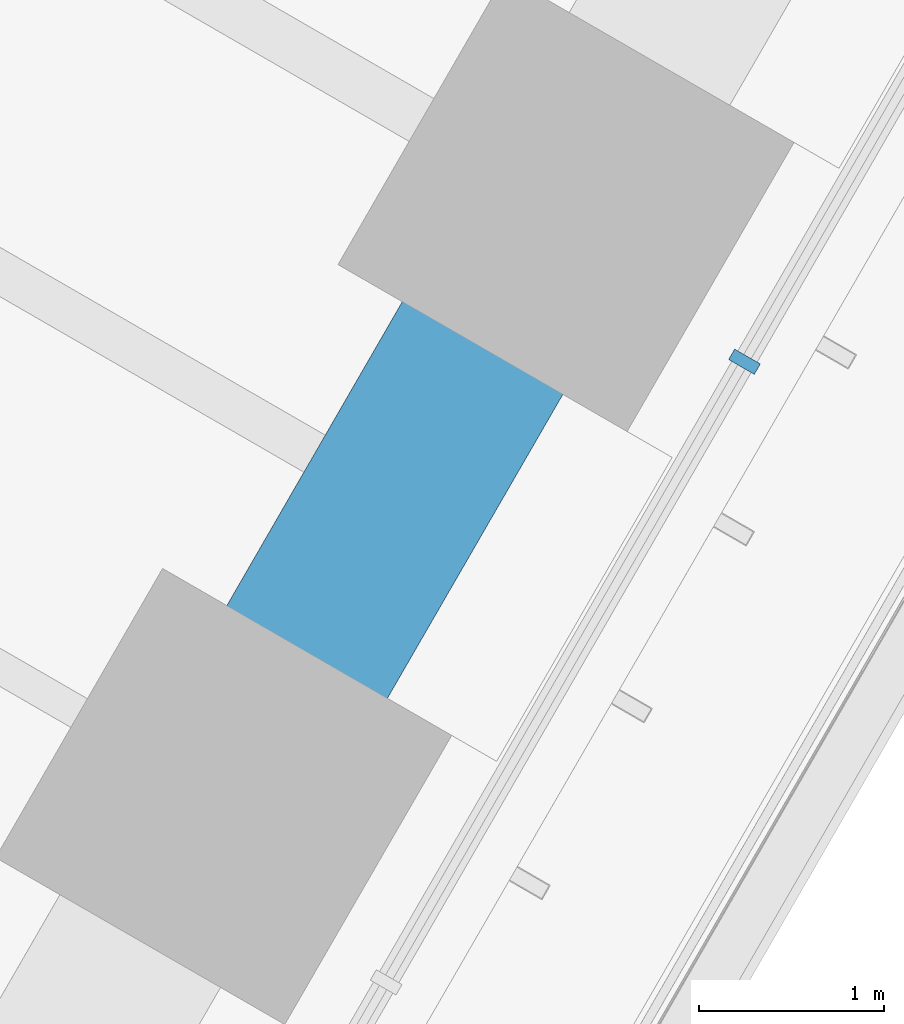
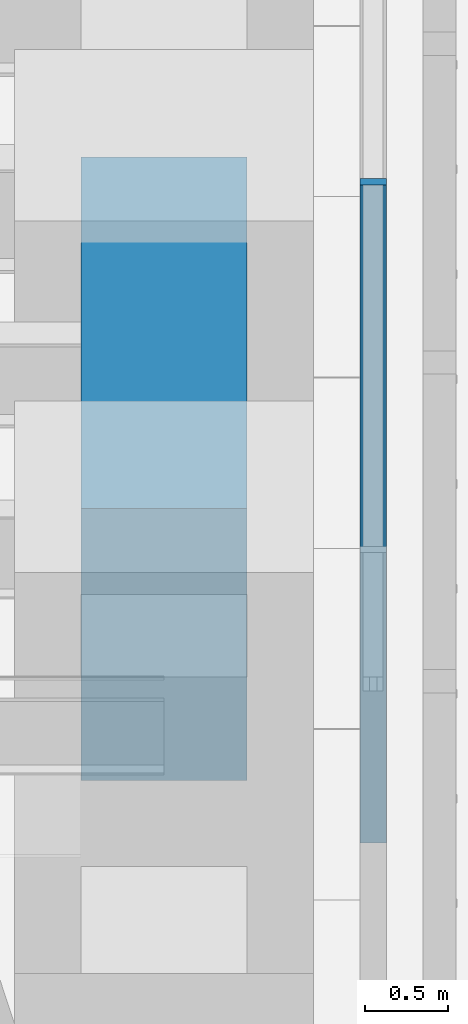
# One storey, part 93 of 228: 1 beam, 1 member, 1 element without a shape of its own.
"""IFC4 building model written with IfcOpenShell, lengths in metres."""

from ifc_helpers import new_model, si_unit, direction, frame, origin, origin_2d, place, context, subcontext, project, spatial, rectangle, extrude, material, material_profile, profile_set, type_object, element, aggregate, save


model = new_model("IFC4")

# Units and contexts
model_context = context("Model", 3, precision=1e-05, world=origin(), true_north=direction((0.0, 1.0)))
body_context = subcontext(model_context, "Body", "Model", "MODEL_VIEW")
ifc_project = project(units=[si_unit("LENGTHUNIT", "METRE"), si_unit("AREAUNIT", "SQUARE_METRE"), si_unit("VOLUMEUNIT", "CUBIC_METRE"), si_unit("PLANEANGLEUNIT", "RADIAN"), si_unit("MASSUNIT", "GRAM", prefix="KILO")], contexts=[model_context])

# Site, building, storey
site_placement = place(None, origin())
site = spatial("IfcSite", under=ifc_project, at=site_placement, CompositionType="ELEMENT")
building_placement = place(site_placement, origin())
building = spatial("IfcBuilding", under=site, at=building_placement, Name="Sandreach Pilgrim Tower", CompositionType="ELEMENT")
storey_placement = place(building_placement, frame((0.0, 0.0, 178.199951171875)))
storey = spatial("IfcBuildingStorey", under=building, at=storey_placement, Name="L44", CompositionType="ELEMENT", Elevation=178.199951171875)

# Curtain wall, member
ifc_material_1 = material(Name="Aluminium framed curtain wall", Category="aluminium")
curtain_wall_type = type_object("IfcCurtainWallType", Name="Upper hotel tower curtain wall", PredefinedType="NOTDEFINED", material=ifc_material_1)
curtain_wall_placement = place(storey_placement, origin())
curtain_wall = element("IfcCurtainWall", 1, at=curtain_wall_placement, inside=storey, type_object=curtain_wall_type, Name="CW-3 L44 SE", PredefinedType="NOTDEFINED")
ifc_material_2 = material(Name="Aluminium extrusion", Category="aluminium")
ifc_material_profile_1 = material_profile(ifc_material_2, rectangle(XDim=0.06494140625, YDim=0.159912109375, at=origin_2d()), Name="CW-3M 65X160")
ifc_profile_set_1 = profile_set([ifc_material_profile_1], Name="Aluminium extrusion")
member_type = type_object("IfcMemberType", Name="CW-3 mullion", PredefinedType="MULLION", material=ifc_profile_set_1)
member_placement = place(storey_placement, frame((15.4267578125, -15.60009765625, 0.0), z_axis=(0.0, 0.0, 1.0), x_axis=(-0.5, -0.866025403784, 0.0)))
member = element("IfcMember", 2, at=member_placement, type_object=member_type, Name="CW-3 mullion 7", PredefinedType="MULLION", context=body_context, shape_type="SweptSolid", body=[
    extrude(rectangle(XDim=0.06494140625, YDim=0.159912109375, at=origin_2d()), origin(), (0.0, 0.0, 1.0), 4.840087890625),
])
aggregate(curtain_wall, [member])

# Beam
ifc_material_3 = material(Name="Concrete 10000 psi", Category="concrete")
ifc_material_profile_2 = material_profile(ifc_material_3, rectangle(XDim=1.0, YDim=2.0, at=origin_2d()), Name="RC1000X2000")
ifc_profile_set_2 = profile_set([ifc_material_profile_2], Name="Concrete 10000 psi")
beam_type = type_object("IfcBeamType", Name="Spandrel beam RC1000X2000", PredefinedType="SPANDREL", material=ifc_profile_set_2)
beam_placement = place(storey_placement, frame((14.464599609375, -14.746826171875, 3.840087890625), z_axis=(-0.499993363642, -0.866029235253, 0.0), x_axis=(0.866029235253, -0.499993363642, 0.0)))
element("IfcBeam", 3, at=beam_placement, inside=storey, type_object=beam_type, Name="BM L44 SP19", PredefinedType="SPANDREL", context=body_context, shape_type="SweptSolid", body=[
    extrude(rectangle(XDim=1.0, YDim=2.0, at=origin_2d()), origin(), (0.0, 0.0, 1.0), 3.6923828125),
])

save(model, "model.ifc")
